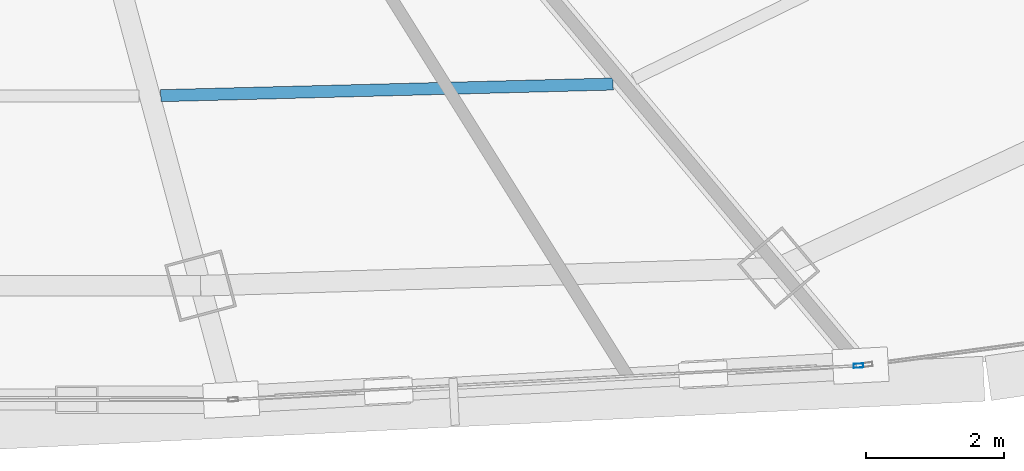
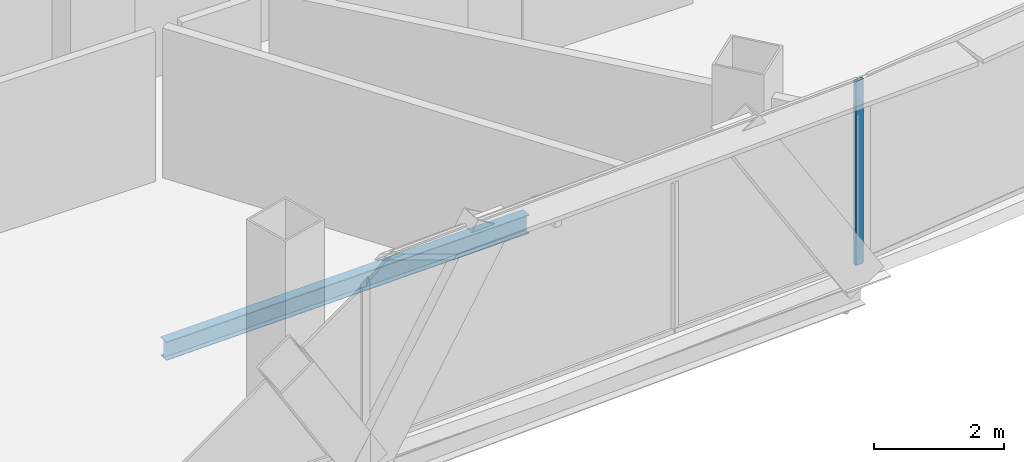
# One storey, part 12 of 37: 1 beam, 1 member, 1 element without a shape of its own.
"""IFC4 building model written with IfcOpenShell, lengths in metres."""

from ifc_helpers import new_model, si_unit, direction, frame, origin, origin_2d, place, context, subcontext, project, spatial, hollow_rectangle, i_section, extrude, source, transform, mapped, material, layer, layer_set, material_profile, profile_set, type_object, element, aggregate, save


model = new_model("IFC4")

# Units and contexts
model_context = context("Model", 3, precision=1e-05, world=origin(), true_north=direction((0.0, 1.0)))
body_context = subcontext(model_context, "Body", "Model", "MODEL_VIEW")
ifc_project = project(units=[si_unit("LENGTHUNIT", "METRE"), si_unit("AREAUNIT", "SQUARE_METRE"), si_unit("VOLUMEUNIT", "CUBIC_METRE"), si_unit("PLANEANGLEUNIT", "RADIAN"), si_unit("MASSUNIT", "GRAM", prefix="KILO"), si_unit("THERMODYNAMICTEMPERATUREUNIT", "KELVIN"), si_unit("POWERUNIT", "WATT")], contexts=[model_context])

# Site, building, storey
site_placement = place(None, origin())
site = spatial("IfcSite", under=ifc_project, at=site_placement, CompositionType="ELEMENT")
building_placement = place(site_placement, origin())
building = spatial("IfcBuilding", under=site, at=building_placement, Name="Yunzhuo Pagoda Commons", CompositionType="ELEMENT")
storey_placement = place(building_placement, frame((0.0, 0.0, 255.719970703125)))
storey = spatial("IfcBuildingStorey", under=building, at=storey_placement, Name="L64", CompositionType="ELEMENT", Elevation=255.719970703125)

# Beam
ifc_material_1 = material(Name="Structural steel Q355B", Category="steel")
ifc_material_profile_1 = material_profile(ifc_material_1, i_section(OverallWidth=0.175048828125, OverallDepth=0.35009765625, WebThickness=0.007080078125, FlangeThickness=0.010986328125, at=origin_2d()), Name="Structural steel Q355B")
ifc_profile_set_1 = profile_set([ifc_material_profile_1], Name="Structural steel Q355B")
beam_type = type_object("IfcBeamType", Name="B-JS2 Joist HN 350x175x7x11", PredefinedType="JOIST", material=ifc_profile_set_1)
shared_shape_1 = source(origin(), body_context, "Body", "SweptSolid", [
    extrude(i_section(OverallWidth=0.175048828125, OverallDepth=0.35009765625, WebThickness=0.007080078125, FlangeThickness=0.010986328125, at=origin_2d()), origin(), (0.0, 0.0, 1.0), 6.558349609375),
])
beam_placement = place(storey_placement, frame((51.45361328125, 21.40869140625, -0.43505859375), z_axis=(0.99966910323, 0.025723220017, 0.0), x_axis=(-0.025723220017, 0.99966910323, 0.0)))
element("IfcBeam", 1, at=beam_placement, inside=storey, type_object=beam_type, Name="L64 composite ring joist 2.3", PredefinedType="JOIST", context=body_context, shape_type="MappedRepresentation", body=[
    mapped(shared_shape_1, transform((0.0, 0.0, 0.0), scale=1.0)),
])

# Curtain wall, member
ifc_material_2 = material(Name="Anodized aluminium 6063-T6", Category="aluminium")
ifc_layer = layer(ifc_material_2, 0.139892578125)
ifc_layer_set = layer_set([ifc_layer], Name="Anodized aluminium 6063-T6")
curtain_wall_type = type_object("IfcCurtainWallType", Name="CW-HI High-Zone Ribbon Curtain Wall", PredefinedType="NOTDEFINED", material=ifc_layer_set)
curtain_wall_placement = place(storey_placement, origin())
curtain_wall = element("IfcCurtainWall", 2, at=curtain_wall_placement, inside=storey, type_object=curtain_wall_type, Name="L64 curtain wall CW-L64-F1B4", PredefinedType="NOTDEFINED")
ifc_material_profile_2 = material_profile(ifc_material_2, hollow_rectangle(XDim=0.06005859375, YDim=0.139892578125, WallThickness=0.00341796875, at=origin_2d()), Name="Anodized aluminium 6063-T6")
ifc_profile_set_2 = profile_set([ifc_material_profile_2], Name="Anodized aluminium 6063-T6")
member_type = type_object("IfcMemberType", Name="CW-HI-M Mullion RHS 140x60x3.5", PredefinedType="MULLION", material=ifc_profile_set_2)
shared_shape_2 = source(origin(), body_context, "Body", "SweptSolid", [
    extrude(hollow_rectangle(XDim=0.06005859375, YDim=0.139892578125, WallThickness=0.00341796875, at=origin_2d()), origin(), (0.0, 0.0, 1.0), 3.469970703125),
])
member_placement = place(storey_placement, frame((61.5654296875, 17.495849609375, 0.0), z_axis=(0.0, 0.0, 1.0), x_axis=(-0.053988827702, 0.998541539688, 0.0)))
member = element("IfcMember", 3, at=member_placement, type_object=member_type, Name="CW mullion 2", PredefinedType="MULLION", context=body_context, shape_type="MappedRepresentation", body=[
    mapped(shared_shape_2, transform((0.0, 0.0, 0.0), scale=1.0)),
])
aggregate(curtain_wall, [member])

save(model, "model.ifc")
